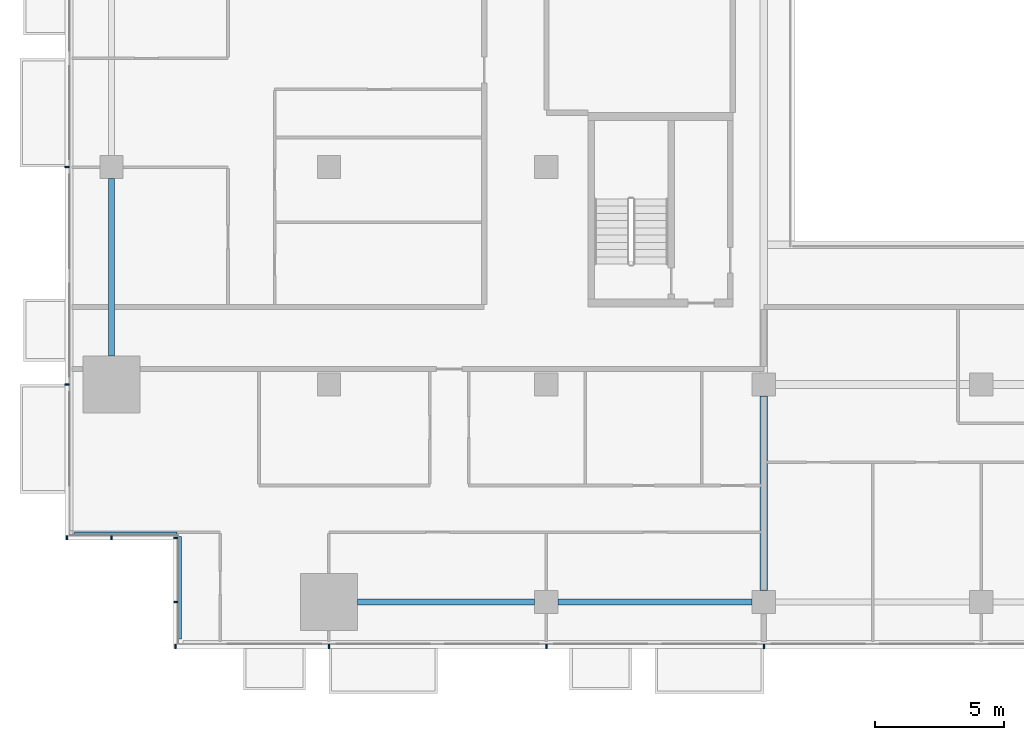
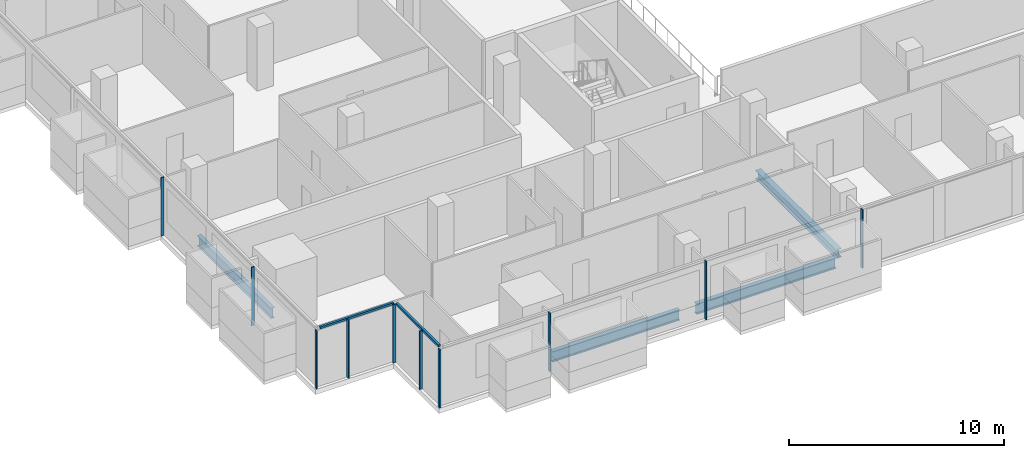
# One storey, part 2 of 27: 12 members, 4 beams, 4 elements without a shape of their own.
"""IFC4 building model written with IfcOpenShell, lengths in metres."""

from ifc_helpers import new_model, si_unit, direction, frame, origin, origin_2d, place, context, subcontext, project, spatial, rectangle, i_section, extrude, material, material_profile, profile_set, type_object, element, aggregate, save


model = new_model("IFC4")

# Units and contexts
model_context = context("Model", 3, precision=1e-05, world=origin(), true_north=direction((0.0, 1.0)))
body_context = subcontext(model_context, "Body", "Model", "MODEL_VIEW")
ifc_project = project(units=[si_unit("LENGTHUNIT", "METRE"), si_unit("AREAUNIT", "SQUARE_METRE"), si_unit("VOLUMEUNIT", "CUBIC_METRE"), si_unit("PLANEANGLEUNIT", "RADIAN"), si_unit("MASSUNIT", "GRAM", prefix="KILO")], contexts=[model_context])

# Site, building, storey
site_placement = place(None, origin())
site = spatial("IfcSite", under=ifc_project, at=site_placement, CompositionType="ELEMENT")
building_placement = place(site_placement, origin())
building = spatial("IfcBuilding", under=site, at=building_placement, Name="Saffron Gate Tower", CompositionType="ELEMENT")
storey_placement = place(building_placement, frame((0.0, 0.0, 44.39990234375)))
storey = spatial("IfcBuildingStorey", under=building, at=storey_placement, Name="L09", CompositionType="ELEMENT", Elevation=44.39990234375)

# Beams
ifc_material_1 = material(Name="Structural steel S355", Category="steel")
ifc_material_profile_1 = material_profile(ifc_material_1, i_section(OverallWidth=0.219970703125, OverallDepth=0.60009765625, WebThickness=0.011962890625, FlangeThickness=0.01904296875, FilletRadius=0.02392578125, at=origin_2d()))
ifc_profile_set_1 = profile_set([ifc_material_profile_1], Name="Structural steel S355")
beam_type_1 = type_object("IfcBeamType", Name="B16 IPE 600", PredefinedType="SPANDREL", material=ifc_profile_set_1)
for number, where, z_axis, x_axis, name in (
    (1, (49.800048828125, 41.300048828125, -0.579833984375), (0.0, 1.0, 0.0), (-1.0, 0.0, 0.0), "B16 SPANDREL BEAM"),
    (2, (59.300048828125, 31.800048828125, -0.579833984375), (1.0, 0.0, 0.0), (0.0, 1.0, 0.0), "B16 SPANDREL BEAM"),
):
    element("IfcBeam", number, at=place(storey_placement, frame(where, z_axis=z_axis, x_axis=x_axis)), inside=storey, type_object=beam_type_1, Name=name, PredefinedType="SPANDREL", context=body_context, shape_type="SweptSolid", body=[
        extrude(i_section(OverallWidth=0.219970703125, OverallDepth=0.60009765625, WebThickness=0.011962890625, FlangeThickness=0.01904296875, FilletRadius=0.02392578125, at=origin_2d()), origin(), (0.0, 0.0, 1.0), 6.849853515625),
    ])
beam_1_placement = place(storey_placement, frame((67.050048828125, 31.800048828125, -0.579833984375), z_axis=(1.0, 0.0, 0.0), x_axis=(0.0, 1.0, 0.0)))
element("IfcBeam", 3, at=beam_1_placement, inside=storey, type_object=beam_type_1, Name="B16 SPANDREL BEAM", PredefinedType="SPANDREL", context=body_context, shape_type="SweptSolid", body=[
    extrude(i_section(OverallWidth=0.219970703125, OverallDepth=0.60009765625, WebThickness=0.011962890625, FlangeThickness=0.01904296875, FilletRadius=0.02392578125, at=origin_2d()), origin(), (0.0, 0.0, 1.0), 7.5),
])
ifc_material_profile_2 = material_profile(ifc_material_1, i_section(OverallWidth=0.300048828125, OverallDepth=0.489990234375, WebThickness=0.011962890625, FlangeThickness=0.02294921875, FilletRadius=0.027099609375, at=origin_2d()))
ifc_profile_set_2 = profile_set([ifc_material_profile_2], Name="Structural steel S355")
beam_type_2 = type_object("IfcBeamType", Name="B8 HEA 500", PredefinedType="BEAM", material=ifc_profile_set_2)
beam_2_placement = place(storey_placement, frame((75.0, 32.25, -0.52490234375), z_axis=(0.0, 1.0, 0.0), x_axis=(-1.0, 0.0, 0.0)))
element("IfcBeam", 4, at=beam_2_placement, inside=storey, type_object=beam_type_2, Name="B8 FLOOR GIRDER", PredefinedType="BEAM", context=body_context, shape_type="SweptSolid", body=[
    extrude(i_section(OverallWidth=0.300048828125, OverallDepth=0.489990234375, WebThickness=0.011962890625, FlangeThickness=0.02294921875, FilletRadius=0.027099609375, at=origin_2d()), origin(), (0.0, 0.0, 1.0), 7.5),
])

# Curtain wall, members
ifc_material_2 = material(Name="Aluminium, bronze anodised", Category="aluminium")
curtain_wall_type_1 = type_object("IfcCurtainWallType", Name="CWS1 curtain wall front facade", PredefinedType="NOTDEFINED", material=ifc_material_2)
curtain_wall_1_placement = place(storey_placement, origin())
curtain_wall_1 = element("IfcCurtainWall", 5, at=curtain_wall_1_placement, inside=storey, type_object=curtain_wall_type_1, Name="CWS1 run 1", PredefinedType="NOTDEFINED")
ifc_material_profile_3 = material_profile(ifc_material_2, rectangle(XDim=0.159912109375, YDim=0.06005859375, at=origin_2d()))
ifc_profile_set_3 = profile_set([ifc_material_profile_3], Name="Aluminium, bronze anodised")
member_type_1 = type_object("IfcMemberType", Name="CWS1 mullion 60x160", PredefinedType="MULLION", material=ifc_profile_set_3)
member_1_placement = place(storey_placement, frame((52.280029296875, 30.080078125, 0.0), z_axis=(0.0, 0.0, 1.0), x_axis=(0.0, 1.0, 0.0)))
member_1 = element("IfcMember", 6, at=member_1_placement, type_object=member_type_1, Name="CWS1 mullion 1", PredefinedType="MULLION", context=body_context, shape_type="SweptSolid", body=[
    extrude(rectangle(XDim=0.159912109375, YDim=0.06005859375, at=origin_2d()), origin(), (0.0, 0.0, 1.0), 3.320068359375),
])
member_2_placement = place(storey_placement, frame((58.199951171875, 30.080078125, 0.0), z_axis=(0.0, 0.0, 1.0), x_axis=(0.0, 1.0, 0.0)))
member_2 = element("IfcMember", 7, at=member_2_placement, type_object=member_type_1, Name="CWS1 mullion 2", PredefinedType="MULLION", context=body_context, shape_type="SweptSolid", body=[
    extrude(rectangle(XDim=0.159912109375, YDim=0.06005859375, at=origin_2d()), origin(), (0.0, 0.0, 1.0), 3.320068359375),
])
member_3_placement = place(storey_placement, frame((66.60009765625, 30.080078125, 0.0), z_axis=(0.0, 0.0, 1.0), x_axis=(0.0, 1.0, 0.0)))
member_3 = element("IfcMember", 8, at=member_3_placement, type_object=member_type_1, Name="CWS1 mullion 3", PredefinedType="MULLION", context=body_context, shape_type="SweptSolid", body=[
    extrude(rectangle(XDim=0.159912109375, YDim=0.06005859375, at=origin_2d()), origin(), (0.0, 0.0, 1.0), 3.320068359375),
])
member_4_placement = place(storey_placement, frame((75.0, 30.080078125, 0.0), z_axis=(0.0, 0.0, 1.0), x_axis=(0.0, 1.0, 0.0)))
member_4 = element("IfcMember", 9, at=member_4_placement, type_object=member_type_1, Name="CWS1 mullion 4", PredefinedType="MULLION", context=body_context, shape_type="SweptSolid", body=[
    extrude(rectangle(XDim=0.159912109375, YDim=0.06005859375, at=origin_2d()), origin(), (0.0, 0.0, 1.0), 3.320068359375),
])
aggregate(curtain_wall_1, [member_1, member_2, member_3, member_4])

curtain_wall_type_2 = type_object("IfcCurtainWallType", Name="CWS2 curtain wall side facades", PredefinedType="NOTDEFINED", material=ifc_material_2)
curtain_wall_2_placement = place(storey_placement, origin())
curtain_wall_2 = element("IfcCurtainWall", 10, at=curtain_wall_2_placement, inside=storey, type_object=curtain_wall_type_2, Name="CWS2 run 10", PredefinedType="NOTDEFINED")
ifc_material_profile_4 = material_profile(ifc_material_2, rectangle(XDim=0.159912109375, YDim=0.06005859375, at=origin_2d()))
ifc_profile_set_4 = profile_set([ifc_material_profile_4], Name="Aluminium, bronze anodised")
member_type_2 = type_object("IfcMemberType", Name="CWS2 mullion 60x160", PredefinedType="MULLION", material=ifc_profile_set_4)
member_5_placement = place(storey_placement, frame((48.080078125, 48.60009765625, 0.0), z_axis=(0.0, 0.0, 1.0), x_axis=(1.0, 0.0, 0.0)))
member_5 = element("IfcMember", 11, at=member_5_placement, type_object=member_type_2, Name="CWS2 mullion 4", PredefinedType="MULLION", context=body_context, shape_type="SweptSolid", body=[
    extrude(rectangle(XDim=0.159912109375, YDim=0.06005859375, at=origin_2d()), origin(), (0.0, 0.0, 1.0), 3.320068359375),
])
member_6_placement = place(storey_placement, frame((48.080078125, 40.199951171875, 0.0), z_axis=(0.0, 0.0, 1.0), x_axis=(1.0, 0.0, 0.0)))
member_6 = element("IfcMember", 12, at=member_6_placement, type_object=member_type_2, Name="CWS2 mullion 5", PredefinedType="MULLION", context=body_context, shape_type="SweptSolid", body=[
    extrude(rectangle(XDim=0.159912109375, YDim=0.06005859375, at=origin_2d()), origin(), (0.0, 0.0, 1.0), 3.320068359375),
])
aggregate(curtain_wall_2, [member_5, member_6])

# Curtain wall, member
curtain_wall_type_3 = type_object("IfcCurtainWallType", Name="CWS4 curtain wall corner returns", PredefinedType="NOTDEFINED", material=ifc_material_2)
curtain_wall_3_placement = place(storey_placement, origin())
curtain_wall_3 = element("IfcCurtainWall", 13, at=curtain_wall_3_placement, inside=storey, type_object=curtain_wall_type_3, Name="CWS4 run 11", PredefinedType="NOTDEFINED")
ifc_material_profile_5 = material_profile(ifc_material_2, rectangle(XDim=0.1201171875, YDim=0.1201171875, at=origin_2d()))
ifc_profile_set_5 = profile_set([ifc_material_profile_5], Name="Aluminium, bronze anodised")
member_type_3 = type_object("IfcMemberType", Name="CWS4 head transom", PredefinedType="USERDEFINED", material=ifc_profile_set_5)
member_7_placement = place(storey_placement, frame((48.367919921875, 34.447998046875, 3.260009765625), z_axis=(1.0, 0.0, 0.0), x_axis=(0.0, 1.0, 0.0)))
member_7 = element("IfcMember", 14, at=member_7_placement, type_object=member_type_3, Name="CWS4 head transom", ObjectType="TRANSOM", PredefinedType="USERDEFINED", context=body_context, shape_type="SweptSolid", body=[
    extrude(rectangle(XDim=0.1201171875, YDim=0.1201171875, at=origin_2d()), origin(), (0.0, 0.0, 1.0), 3.9599609375),
])

curtain_wall_4_placement = place(storey_placement, origin())
curtain_wall_4 = element("IfcCurtainWall", 15, at=curtain_wall_4_placement, inside=storey, type_object=curtain_wall_type_3, Name="CWS4 run 12", PredefinedType="NOTDEFINED")
member_8_placement = place(storey_placement, frame((52.447998046875, 34.327880859375, 3.260009765625), z_axis=(0.0, -1.0, 0.0), x_axis=(1.0, 0.0, 0.0)))
member_8 = element("IfcMember", 16, at=member_8_placement, type_object=member_type_3, Name="CWS4 head transom", ObjectType="TRANSOM", PredefinedType="USERDEFINED", context=body_context, shape_type="SweptSolid", body=[
    extrude(rectangle(XDim=0.1201171875, YDim=0.1201171875, at=origin_2d()), origin(), (0.0, 0.0, 1.0), 3.9599609375),
])

# Member
ifc_material_profile_6 = material_profile(ifc_material_2, rectangle(XDim=0.159912109375, YDim=0.06005859375, at=origin_2d()))
ifc_profile_set_6 = profile_set([ifc_material_profile_6], Name="Aluminium, bronze anodised")
member_type_4 = type_object("IfcMemberType", Name="CWS4 mullion 60x160", PredefinedType="MULLION", material=ifc_profile_set_6)
member_9_placement = place(storey_placement, frame((48.080078125, 34.280029296875, 0.0), z_axis=(0.0, 0.0, 1.0), x_axis=(0.0, 1.0, 0.0)))
member_9 = element("IfcMember", 17, at=member_9_placement, type_object=member_type_4, Name="CWS4 mullion 1", PredefinedType="MULLION", context=body_context, shape_type="SweptSolid", body=[
    extrude(rectangle(XDim=0.159912109375, YDim=0.06005859375, at=origin_2d()), origin(), (0.0, 0.0, 1.0), 3.320068359375),
])

member_10_placement = place(storey_placement, frame((49.800048828125, 34.280029296875, 0.0), z_axis=(0.0, 0.0, 1.0), x_axis=(0.0, 1.0, 0.0)))
member_10 = element("IfcMember", 18, at=member_10_placement, type_object=member_type_4, Name="CWS4 mullion 2", PredefinedType="MULLION", context=body_context, shape_type="SweptSolid", body=[
    extrude(rectangle(XDim=0.159912109375, YDim=0.06005859375, at=origin_2d()), origin(), (0.0, 0.0, 1.0), 3.320068359375),
])

aggregate(curtain_wall_3, [member_9, member_10, member_7])

member_11_placement = place(storey_placement, frame((52.280029296875, 34.280029296875, 0.0), z_axis=(0.0, 0.0, 1.0), x_axis=(1.0, 0.0, 0.0)))
member_11 = element("IfcMember", 19, at=member_11_placement, type_object=member_type_4, Name="CWS4 mullion 1", PredefinedType="MULLION", context=body_context, shape_type="SweptSolid", body=[
    extrude(rectangle(XDim=0.159912109375, YDim=0.06005859375, at=origin_2d()), origin(), (0.0, 0.0, 1.0), 3.320068359375),
])

member_12_placement = place(storey_placement, frame((52.280029296875, 31.800048828125, 0.0), z_axis=(0.0, 0.0, 1.0), x_axis=(1.0, 0.0, 0.0)))
member_12 = element("IfcMember", 20, at=member_12_placement, type_object=member_type_4, Name="CWS4 mullion 2", PredefinedType="MULLION", context=body_context, shape_type="SweptSolid", body=[
    extrude(rectangle(XDim=0.159912109375, YDim=0.06005859375, at=origin_2d()), origin(), (0.0, 0.0, 1.0), 3.320068359375),
])

aggregate(curtain_wall_4, [member_11, member_12, member_8])

save(model, "model.ifc")
